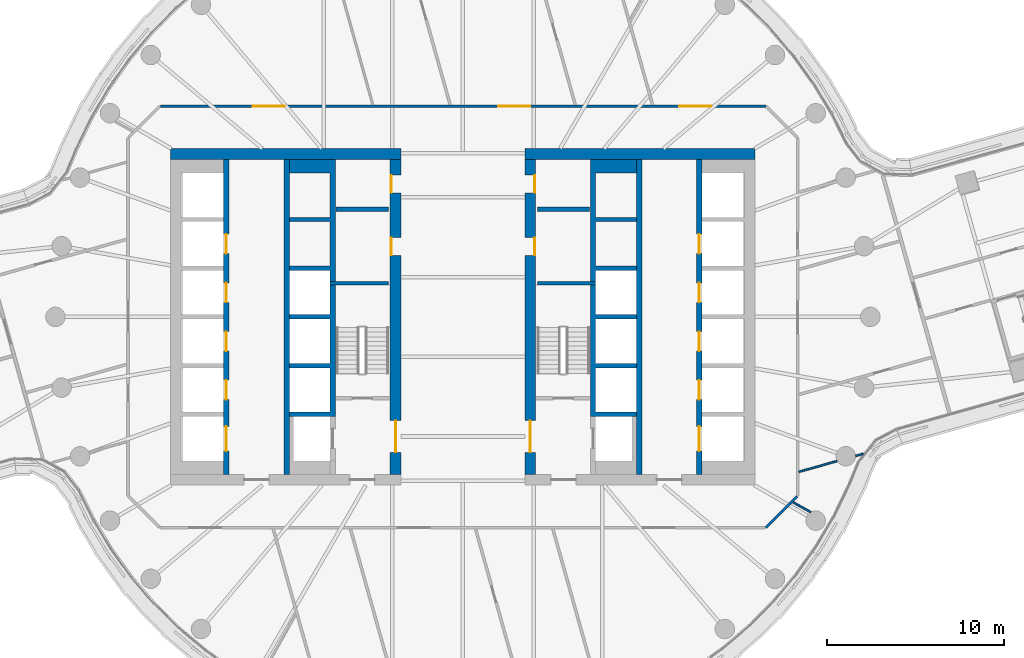
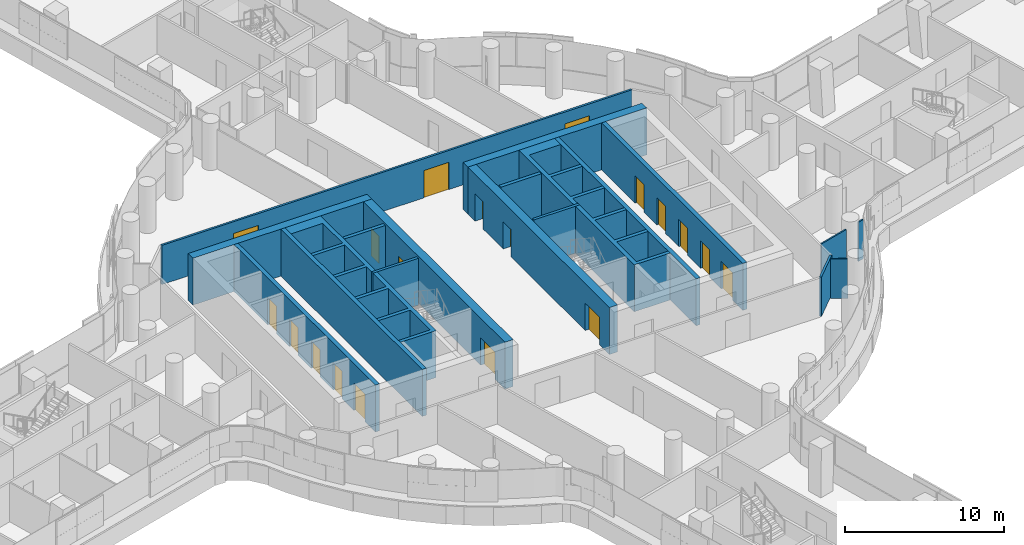
# One storey, part 20 of 30: 19 doors, 19 walls, 19 openings.
"""IFC4 building model written with IfcOpenShell, lengths in metres."""

from ifc_helpers import new_model, si_unit, direction, frame, frame_2d, origin, place, context, subcontext, project, spatial, polyline, rectangle, outline, extrude, material, layer, layer_set, type_object, element, fill, save


model = new_model("IFC4")

# Units and contexts
model_context = context("Model", 3, precision=1e-05, world=origin(), true_north=direction((0.0, 1.0)))
body_context = subcontext(model_context, "Body", "Model", "MODEL_VIEW")
ifc_project = project(units=[si_unit("LENGTHUNIT", "METRE"), si_unit("AREAUNIT", "SQUARE_METRE"), si_unit("VOLUMEUNIT", "CUBIC_METRE"), si_unit("PLANEANGLEUNIT", "RADIAN"), si_unit("MASSUNIT", "GRAM", prefix="KILO")], contexts=[model_context])

# Site, building, storey
site_placement = place(None, origin())
site = spatial("IfcSite", under=ifc_project, at=site_placement, CompositionType="ELEMENT")
building_placement = place(site_placement, origin())
building = spatial("IfcBuilding", under=site, at=building_placement, Name="Tamarind Cross Interchange Tower", CompositionType="ELEMENT")
storey_placement = place(building_placement, frame((0.0, 0.0, 91.0)))
storey = spatial("IfcBuildingStorey", under=building, at=storey_placement, Name="L21", CompositionType="ELEMENT", Elevation=91.0)

# Wall
ifc_material_1 = material(Name="Concrete C70", Category="concrete")
ifc_layer_1 = layer(ifc_material_1, 0.60009765625)
ifc_layer_set_1 = layer_set([ifc_layer_1], Name="Concrete C70")
wall_type_1 = type_object("IfcWallType", Name="Core wall 600 mm Concrete C70", PredefinedType="SHEAR", material=ifc_layer_set_1)
wall_1_placement = place(storey_placement, frame((-16.5, 9.199951171875, 0.0), z_axis=(0.0, 0.0, 1.0), x_axis=(1.0, 0.0, 0.0)))
element("IfcWall", 1, at=wall_1_placement, inside=storey, type_object=wall_type_1, Name="Core wall CWL-L21-W-NE", PredefinedType="SHEAR", context=body_context, shape_type="SweptSolid", body=[
    extrude(rectangle(XDim=13.0, YDim=0.60009765625, at=frame_2d((6.5, 0.0))), origin(), (0.0, 0.0, 1.0), 3.610107421875),
])

# Wall, openings, doors
wall_2_placement = place(storey_placement, frame((-3.800048828125, -8.89990234375, 0.0), z_axis=(0.0, 0.0, 1.0), x_axis=(0.0, 1.0, 0.0)))
wall_2 = element("IfcWall", 2, at=wall_2_placement, inside=storey, type_object=wall_type_1, Name="Core wall CWL-L21-W-IN", PredefinedType="SHEAR", context=body_context, shape_type="SweptSolid", body=[
    extrude(rectangle(XDim=17.7998046875, YDim=0.60009765625, at=frame_2d((8.89990234375, 0.0))), origin(), (0.0, 0.0, 1.0), 3.610107421875),
])
opening_1_placement = place(wall_2_placement, frame((1.25, 0.0, 0.0)))
opening_1 = element("IfcOpeningElement", 3, at=opening_1_placement, cuts=wall_2, Name="Opening DCW4", PredefinedType="OPENING", context=body_context, shape_type="SweptSolid", body=[
    extrude(rectangle(XDim=1.800048828125, YDim=2.10009765625, at=frame_2d((0.89990234375, 1.050048828125))), frame((0.0, 0.31005859375, 0.0), z_axis=(0.0, -1.0, 0.0), x_axis=(1.0, 0.0, 0.0)), (0.0, 0.0, 1.0), 0.6201171875),
])
opening_2_placement = place(wall_2_placement, frame((12.37744140625, 0.0, 0.0)))
opening_2 = element("IfcOpeningElement", 4, at=opening_2_placement, cuts=wall_2, Name="Opening DCW5", PredefinedType="OPENING", context=body_context, shape_type="SweptSolid", body=[
    extrude(rectangle(XDim=1.0, YDim=2.10009765625, at=frame_2d((0.5, 1.050048828125))), frame((0.0, 0.31005859375, 0.0), z_axis=(0.0, -1.0, 0.0), x_axis=(1.0, 0.0, 0.0)), (0.0, 0.0, 1.0), 0.6201171875),
])
opening_3_placement = place(wall_2_placement, frame((15.902587890625, 0.0, 0.0)))
opening_3 = element("IfcOpeningElement", 5, at=opening_3_placement, cuts=wall_2, Name="Opening DCW5", PredefinedType="OPENING", context=body_context, shape_type="SweptSolid", body=[
    extrude(rectangle(XDim=1.0, YDim=2.10009765625, at=frame_2d((0.5, 1.050048828125))), frame((0.0, 0.31005859375, 0.0), z_axis=(0.0, -1.0, 0.0), x_axis=(1.0, 0.0, 0.0)), (0.0, 0.0, 1.0), 0.6201171875),
])
ifc_material_2 = material(Name="Steel, fire-resisting", Category="steel")
door_type_1 = type_object("IfcDoorType", Name="Core fire door 1000 x 2100 FD90", OperationType="SINGLE_SWING_LEFT", PredefinedType="DOOR", material=ifc_material_2)
door_1_placement = place(opening_2_placement, origin())
door_1 = element("IfcDoor", 6, at=door_1_placement, inside=storey, type_object=door_type_1, Name="L21 cleaner's store door", OperationType="SINGLE_SWING_LEFT", OverallHeight=2.10009765625, OverallWidth=1.0, PredefinedType="DOOR", context=body_context, shape_type="SweptSolid", body=[
    extrude(rectangle(XDim=1.0, YDim=2.10009765625, at=frame_2d((0.5, 1.050048828125))), frame((0.0, 0.27490234375, 0.0), z_axis=(0.0, -1.0, 0.0), x_axis=(1.0, 0.0, 0.0)), (0.0, 0.0, 1.0), 0.050048828125),
])
fill(opening_2, door_1)
door_2_placement = place(opening_3_placement, origin())
door_2 = element("IfcDoor", 7, at=door_2_placement, inside=storey, type_object=door_type_1, Name="L21 comms room door", OperationType="SINGLE_SWING_LEFT", OverallHeight=2.10009765625, OverallWidth=1.0, PredefinedType="DOOR", context=body_context, shape_type="SweptSolid", body=[
    extrude(rectangle(XDim=1.0, YDim=2.10009765625, at=frame_2d((0.5, 1.050048828125))), frame((0.0, 0.27490234375, 0.0), z_axis=(0.0, -1.0, 0.0), x_axis=(1.0, 0.0, 0.0)), (0.0, 0.0, 1.0), 0.050048828125),
])
fill(opening_3, door_2)
door_type_2 = type_object("IfcDoorType", Name="Core fire door 1800 x 2100 FD90", OperationType="SINGLE_SWING_LEFT", PredefinedType="DOOR", material=ifc_material_2)
door_3_placement = place(opening_1_placement, origin())
door_3 = element("IfcDoor", 8, at=door_3_placement, inside=storey, type_object=door_type_2, Name="L21 firefighting lobby door", OperationType="SINGLE_SWING_LEFT", OverallHeight=2.10009765625, OverallWidth=1.800048828125, PredefinedType="DOOR", context=body_context, shape_type="SweptSolid", body=[
    extrude(rectangle(XDim=1.800048828125, YDim=2.10009765625, at=frame_2d((0.89990234375, 1.050048828125))), frame((0.0, 0.02490234375, 0.0), z_axis=(0.0, -1.0, 0.0), x_axis=(1.0, 0.0, 0.0)), (0.0, 0.0, 1.0), 0.050048828125),
])
fill(opening_1, door_3)

# Wall
wall_3_placement = place(storey_placement, frame((16.5, 9.199951171875, 0.0), z_axis=(0.0, 0.0, 1.0), x_axis=(-1.0, 0.0, 0.0)))
element("IfcWall", 9, at=wall_3_placement, inside=storey, type_object=wall_type_1, Name="Core wall CWL-L21-E-NE", PredefinedType="SHEAR", context=body_context, shape_type="SweptSolid", body=[
    extrude(rectangle(XDim=13.0, YDim=0.60009765625, at=frame_2d((6.5, 0.0))), origin(), (0.0, 0.0, 1.0), 3.610107421875),
])

# Wall, openings, doors
wall_4_placement = place(storey_placement, frame((3.800048828125, -8.89990234375, 0.0), z_axis=(0.0, 0.0, 1.0), x_axis=(0.0, 1.0, 0.0)))
wall_4 = element("IfcWall", 10, at=wall_4_placement, inside=storey, type_object=wall_type_1, Name="Core wall CWL-L21-E-IN", PredefinedType="SHEAR", context=body_context, shape_type="SweptSolid", body=[
    extrude(rectangle(XDim=17.7998046875, YDim=0.60009765625, at=frame_2d((8.89990234375, 0.0))), origin(), (0.0, 0.0, 1.0), 3.610107421875),
])
opening_4_placement = place(wall_4_placement, frame((1.25, 0.0, 0.0)))
opening_4 = element("IfcOpeningElement", 11, at=opening_4_placement, cuts=wall_4, Name="Opening DCE4", PredefinedType="OPENING", context=body_context, shape_type="SweptSolid", body=[
    extrude(rectangle(XDim=1.800048828125, YDim=2.10009765625, at=frame_2d((0.89990234375, 1.050048828125))), frame((0.0, 0.31005859375, 0.0), z_axis=(0.0, -1.0, 0.0), x_axis=(1.0, 0.0, 0.0)), (0.0, 0.0, 1.0), 0.6201171875),
])
opening_5_placement = place(wall_4_placement, frame((12.37744140625, 0.0, 0.0)))
opening_5 = element("IfcOpeningElement", 12, at=opening_5_placement, cuts=wall_4, Name="Opening DCE5", PredefinedType="OPENING", context=body_context, shape_type="SweptSolid", body=[
    extrude(rectangle(XDim=1.0, YDim=2.10009765625, at=frame_2d((0.5, 1.050048828125))), frame((0.0, 0.31005859375, 0.0), z_axis=(0.0, -1.0, 0.0), x_axis=(1.0, 0.0, 0.0)), (0.0, 0.0, 1.0), 0.6201171875),
])
opening_6_placement = place(wall_4_placement, frame((15.902587890625, 0.0, 0.0)))
opening_6 = element("IfcOpeningElement", 13, at=opening_6_placement, cuts=wall_4, Name="Opening DCE5", PredefinedType="OPENING", context=body_context, shape_type="SweptSolid", body=[
    extrude(rectangle(XDim=1.0, YDim=2.10009765625, at=frame_2d((0.5, 1.050048828125))), frame((0.0, 0.31005859375, 0.0), z_axis=(0.0, -1.0, 0.0), x_axis=(1.0, 0.0, 0.0)), (0.0, 0.0, 1.0), 0.6201171875),
])
door_4_placement = place(opening_5_placement, origin())
door_4 = element("IfcDoor", 14, at=door_4_placement, inside=storey, type_object=door_type_1, Name="L21 cleaner's store door", OperationType="SINGLE_SWING_LEFT", OverallHeight=2.10009765625, OverallWidth=1.0, PredefinedType="DOOR", context=body_context, shape_type="SweptSolid", body=[
    extrude(rectangle(XDim=1.0, YDim=2.10009765625, at=frame_2d((0.5, 1.050048828125))), frame((0.0, -0.22509765625, 0.0), z_axis=(0.0, -1.0, 0.0), x_axis=(1.0, 0.0, 0.0)), (0.0, 0.0, 1.0), 0.050048828125),
])
fill(opening_5, door_4)
door_5_placement = place(opening_6_placement, origin())
door_5 = element("IfcDoor", 15, at=door_5_placement, inside=storey, type_object=door_type_1, Name="L21 comms room door", OperationType="SINGLE_SWING_LEFT", OverallHeight=2.10009765625, OverallWidth=1.0, PredefinedType="DOOR", context=body_context, shape_type="SweptSolid", body=[
    extrude(rectangle(XDim=1.0, YDim=2.10009765625, at=frame_2d((0.5, 1.050048828125))), frame((0.0, -0.22509765625, 0.0), z_axis=(0.0, -1.0, 0.0), x_axis=(1.0, 0.0, 0.0)), (0.0, 0.0, 1.0), 0.050048828125),
])
fill(opening_6, door_5)
door_6_placement = place(opening_4_placement, origin())
door_6 = element("IfcDoor", 16, at=door_6_placement, inside=storey, type_object=door_type_2, Name="L21 firefighting lobby door", OperationType="SINGLE_SWING_LEFT", OverallHeight=2.10009765625, OverallWidth=1.800048828125, PredefinedType="DOOR", context=body_context, shape_type="SweptSolid", body=[
    extrude(rectangle(XDim=1.800048828125, YDim=2.10009765625, at=frame_2d((0.89990234375, 1.050048828125))), frame((0.0, 0.02490234375, 0.0), z_axis=(0.0, -1.0, 0.0), x_axis=(1.0, 0.0, 0.0)), (0.0, 0.0, 1.0), 0.050048828125),
])
fill(opening_4, door_6)

# Walls
ifc_layer_2 = layer(ifc_material_1, 0.199951171875)
ifc_layer_set_2 = layer_set([ifc_layer_2], Name="Concrete C70")
wall_type_2 = type_object("IfcWallType", Name="Core web wall 200 mm Concrete C70", PredefinedType="SHEAR", material=ifc_layer_set_2)
for number, where, z_axis, x_axis, name in (
    (17, (-7.5, 1.89990234375, 0.0), (0.0, 0.0, 1.0), (1.0, 0.0, 0.0), "Core wall CWL-L21-W-BD"),
    (18, (7.5, 1.89990234375, 0.0), (0.0, 0.0, 1.0), (-1.0, 0.0, 0.0), "Core wall CWL-L21-E-BD"),
):
    element("IfcWall", number, at=place(storey_placement, frame(where, z_axis=z_axis, x_axis=x_axis)), inside=storey, type_object=wall_type_2, Name=name, PredefinedType="SHEAR", context=body_context, shape_type="SweptSolid", body=[
        extrude(rectangle(XDim=3.300048828125, YDim=0.199951171875, at=frame_2d((1.64990234375, 0.0))), origin(), (0.0, 0.0, 1.0), 3.610107421875),
    ])
ifc_layer_3 = layer(ifc_material_1, 0.300048828125)
ifc_layer_set_3 = layer_set([ifc_layer_3], Name="Concrete C70")
wall_type_3 = type_object("IfcWallType", Name="Core web wall 300 mm Concrete C70", PredefinedType="SHEAR", material=ifc_layer_set_3)
wall_5_placement = place(storey_placement, origin())
element("IfcWall", 19, at=wall_5_placement, inside=storey, type_object=wall_type_3, Name="Core wall CWL-L21-W-BN", PredefinedType="SHEAR", context=body_context, shape_type="SweptSolid", body=[
    extrude(outline(polyline([(-9.800048828125, -5.375), (-9.800048828125, -5.625), (-7.5, -5.625), (-7.199951171875, -5.625), (-7.199951171875, 8.89990234375), (-7.5, 8.89990234375), (-9.800048828125, 8.89990234375), (-9.800048828125, 8.125), (-7.5, 8.125), (-7.5, 5.625), (-9.800048828125, 5.625), (-9.800048828125, 5.375), (-7.5, 5.375), (-7.5, 2.875), (-9.800048828125, 2.875), (-9.800048828125, 2.625), (-7.5, 2.625), (-7.5, 0.125), (-9.800048828125, 0.125), (-9.800048828125, -0.125), (-7.5, -0.125), (-7.5, -2.625), (-9.800048828125, -2.625), (-9.800048828125, -2.875), (-7.5, -2.875), (-7.5, -5.375), (-9.800048828125, -5.375)])), origin(), (0.0, 0.0, 1.0), 3.610107421875),
])

# Wall, openings, doors
wall_6_placement = place(storey_placement, frame((-13.35009765625, -8.89990234375, 0.0), z_axis=(0.0, 0.0, 1.0), x_axis=(0.0, 1.0, 0.0)))
wall_6 = element("IfcWall", 20, at=wall_6_placement, inside=storey, type_object=wall_type_3, Name="Core wall CWL-L21-W-LA", PredefinedType="SHEAR", context=body_context, shape_type="SweptSolid", body=[
    extrude(rectangle(XDim=17.7998046875, YDim=0.300048828125, at=frame_2d((8.89990234375, 0.0))), origin(), (0.0, 0.0, 1.0), 3.610107421875),
])
opening_7_placement = place(wall_6_placement, frame((1.324951171875, 0.0, 0.0)))
opening_7 = element("IfcOpeningElement", 21, at=opening_7_placement, cuts=wall_6, Name="Opening LD1L21", PredefinedType="OPENING", context=body_context, shape_type="SweptSolid", body=[
    extrude(rectangle(XDim=1.39990234375, YDim=2.10009765625, at=frame_2d((0.699951171875, 1.050048828125))), frame((0.0, 0.159912109375, 0.0), z_axis=(0.0, -1.0, 0.0), x_axis=(1.0, 0.0, 0.0)), (0.0, 0.0, 1.0), 0.320068359375),
])
opening_8_placement = place(wall_6_placement, frame((4.22509765625, 0.0, 0.0)))
opening_8 = element("IfcOpeningElement", 22, at=opening_8_placement, cuts=wall_6, Name="Opening LD2L21", PredefinedType="OPENING", context=body_context, shape_type="SweptSolid", body=[
    extrude(rectangle(XDim=1.10009765625, YDim=2.10009765625, at=frame_2d((0.550048828125, 1.050048828125))), frame((0.0, 0.159912109375, 0.0), z_axis=(0.0, -1.0, 0.0), x_axis=(1.0, 0.0, 0.0)), (0.0, 0.0, 1.0), 0.320068359375),
])
opening_9_placement = place(wall_6_placement, frame((6.97509765625, 0.0, 0.0)))
opening_9 = element("IfcOpeningElement", 23, at=opening_9_placement, cuts=wall_6, Name="Opening LD3L21", PredefinedType="OPENING", context=body_context, shape_type="SweptSolid", body=[
    extrude(rectangle(XDim=1.10009765625, YDim=2.10009765625, at=frame_2d((0.550048828125, 1.050048828125))), frame((0.0, 0.159912109375, 0.0), z_axis=(0.0, -1.0, 0.0), x_axis=(1.0, 0.0, 0.0)), (0.0, 0.0, 1.0), 0.320068359375),
])
opening_10_placement = place(wall_6_placement, frame((9.72509765625, 0.0, 0.0)))
opening_10 = element("IfcOpeningElement", 24, at=opening_10_placement, cuts=wall_6, Name="Opening LD4L21", PredefinedType="OPENING", context=body_context, shape_type="SweptSolid", body=[
    extrude(rectangle(XDim=1.10009765625, YDim=2.10009765625, at=frame_2d((0.550048828125, 1.050048828125))), frame((0.0, 0.159912109375, 0.0), z_axis=(0.0, -1.0, 0.0), x_axis=(1.0, 0.0, 0.0)), (0.0, 0.0, 1.0), 0.320068359375),
])
opening_11_placement = place(wall_6_placement, frame((12.47509765625, 0.0, 0.0)))
opening_11 = element("IfcOpeningElement", 25, at=opening_11_placement, cuts=wall_6, Name="Opening LD5L21", PredefinedType="OPENING", context=body_context, shape_type="SweptSolid", body=[
    extrude(rectangle(XDim=1.10009765625, YDim=2.10009765625, at=frame_2d((0.550048828125, 1.050048828125))), frame((0.0, 0.159912109375, 0.0), z_axis=(0.0, -1.0, 0.0), x_axis=(1.0, 0.0, 0.0)), (0.0, 0.0, 1.0), 0.320068359375),
])
ifc_material_3 = material(Name="Stainless steel panel", Category="steel")
door_type_3 = type_object("IfcDoorType", Name="Lift landing door 1100 x 2100 E 120", OperationType="SLIDING_TO_LEFT", PredefinedType="DOOR", material=ifc_material_3)
door_7_placement = place(opening_8_placement, origin())
door_7 = element("IfcDoor", 26, at=door_7_placement, inside=storey, type_object=door_type_3, Name="L21 landing door LF2", OperationType="SLIDING_TO_LEFT", OverallHeight=2.10009765625, OverallWidth=1.10009765625, PredefinedType="DOOR", context=body_context, shape_type="SweptSolid", body=[
    extrude(rectangle(XDim=1.10009765625, YDim=2.10009765625, at=frame_2d((0.550048828125, 1.050048828125))), frame((0.0, 0.02490234375, 0.0), z_axis=(0.0, -1.0, 0.0), x_axis=(1.0, 0.0, 0.0)), (0.0, 0.0, 1.0), 0.050048828125),
])
fill(opening_8, door_7)
door_8_placement = place(opening_9_placement, origin())
door_8 = element("IfcDoor", 27, at=door_8_placement, inside=storey, type_object=door_type_3, Name="L21 landing door LF3", OperationType="SLIDING_TO_LEFT", OverallHeight=2.10009765625, OverallWidth=1.10009765625, PredefinedType="DOOR", context=body_context, shape_type="SweptSolid", body=[
    extrude(rectangle(XDim=1.10009765625, YDim=2.10009765625, at=frame_2d((0.550048828125, 1.050048828125))), frame((0.0, 0.02490234375, 0.0), z_axis=(0.0, -1.0, 0.0), x_axis=(1.0, 0.0, 0.0)), (0.0, 0.0, 1.0), 0.050048828125),
])
fill(opening_9, door_8)
door_9_placement = place(opening_10_placement, origin())
door_9 = element("IfcDoor", 28, at=door_9_placement, inside=storey, type_object=door_type_3, Name="L21 landing door LF4", OperationType="SLIDING_TO_LEFT", OverallHeight=2.10009765625, OverallWidth=1.10009765625, PredefinedType="DOOR", context=body_context, shape_type="SweptSolid", body=[
    extrude(rectangle(XDim=1.10009765625, YDim=2.10009765625, at=frame_2d((0.550048828125, 1.050048828125))), frame((0.0, 0.02490234375, 0.0), z_axis=(0.0, -1.0, 0.0), x_axis=(1.0, 0.0, 0.0)), (0.0, 0.0, 1.0), 0.050048828125),
])
fill(opening_10, door_9)
door_10_placement = place(opening_11_placement, origin())
door_10 = element("IfcDoor", 29, at=door_10_placement, inside=storey, type_object=door_type_3, Name="L21 landing door LF5", OperationType="SLIDING_TO_LEFT", OverallHeight=2.10009765625, OverallWidth=1.10009765625, PredefinedType="DOOR", context=body_context, shape_type="SweptSolid", body=[
    extrude(rectangle(XDim=1.10009765625, YDim=2.10009765625, at=frame_2d((0.550048828125, 1.050048828125))), frame((0.0, 0.02490234375, 0.0), z_axis=(0.0, -1.0, 0.0), x_axis=(1.0, 0.0, 0.0)), (0.0, 0.0, 1.0), 0.050048828125),
])
fill(opening_11, door_10)
door_type_4 = type_object("IfcDoorType", Name="Lift landing door 1400 x 2100 E 120", OperationType="SLIDING_TO_LEFT", PredefinedType="DOOR", material=ifc_material_3)
door_11_placement = place(opening_7_placement, origin())
door_11 = element("IfcDoor", 30, at=door_11_placement, inside=storey, type_object=door_type_4, Name="L21 landing door LF1", OperationType="SLIDING_TO_LEFT", OverallHeight=2.10009765625, OverallWidth=1.39990234375, PredefinedType="DOOR", context=body_context, shape_type="SweptSolid", body=[
    extrude(rectangle(XDim=1.39990234375, YDim=2.10009765625, at=frame_2d((0.699951171875, 1.050048828125))), frame((0.0, 0.02490234375, 0.0), z_axis=(0.0, -1.0, 0.0), x_axis=(1.0, 0.0, 0.0)), (0.0, 0.0, 1.0), 0.050048828125),
])
fill(opening_7, door_11)

# Walls
wall_7_placement = place(storey_placement, frame((-9.949951171875, -8.89990234375, 0.0), z_axis=(0.0, 0.0, 1.0), x_axis=(0.0, 1.0, 0.0)))
element("IfcWall", 31, at=wall_7_placement, inside=storey, type_object=wall_type_3, Name="Core wall CWL-L21-W-LB", PredefinedType="SHEAR", context=body_context, shape_type="SweptSolid", body=[
    extrude(rectangle(XDim=17.7998046875, YDim=0.300048828125, at=frame_2d((8.89990234375, 0.0))), origin(), (0.0, 0.0, 1.0), 3.610107421875),
])
wall_8_placement = place(storey_placement, origin())
element("IfcWall", 32, at=wall_8_placement, inside=storey, type_object=wall_type_3, Name="Core wall CWL-L21-E-BN", PredefinedType="SHEAR", context=body_context, shape_type="SweptSolid", body=[
    extrude(outline(polyline([(9.800048828125, -5.375), (7.5, -5.375), (7.5, -2.875), (9.800048828125, -2.875), (9.800048828125, -2.625), (7.5, -2.625), (7.5, -0.125), (9.800048828125, -0.125), (9.800048828125, 0.125), (7.5, 0.125), (7.5, 2.625), (9.800048828125, 2.625), (9.800048828125, 2.875), (7.5, 2.875), (7.5, 5.375), (9.800048828125, 5.375), (9.800048828125, 5.625), (7.5, 5.625), (7.5, 8.125), (9.800048828125, 8.125), (9.800048828125, 8.89990234375), (7.5, 8.89990234375), (7.199951171875, 8.89990234375), (7.199951171875, -5.625), (7.5, -5.625), (9.800048828125, -5.625), (9.800048828125, -5.375)])), origin(), (0.0, 0.0, 1.0), 3.610107421875),
])

# Wall, openings, doors
wall_9_placement = place(storey_placement, frame((13.35009765625, -8.89990234375, 0.0), z_axis=(0.0, 0.0, 1.0), x_axis=(0.0, 1.0, 0.0)))
wall_9 = element("IfcWall", 33, at=wall_9_placement, inside=storey, type_object=wall_type_3, Name="Core wall CWL-L21-E-LA", PredefinedType="SHEAR", context=body_context, shape_type="SweptSolid", body=[
    extrude(rectangle(XDim=17.7998046875, YDim=0.300048828125, at=frame_2d((8.89990234375, 0.0))), origin(), (0.0, 0.0, 1.0), 3.610107421875),
])
opening_12_placement = place(wall_9_placement, frame((1.324951171875, 0.0, 0.0)))
opening_12 = element("IfcOpeningElement", 34, at=opening_12_placement, cuts=wall_9, Name="Opening LD13L21", PredefinedType="OPENING", context=body_context, shape_type="SweptSolid", body=[
    extrude(rectangle(XDim=1.39990234375, YDim=2.10009765625, at=frame_2d((0.699951171875, 1.050048828125))), frame((0.0, 0.159912109375, 0.0), z_axis=(0.0, -1.0, 0.0), x_axis=(1.0, 0.0, 0.0)), (0.0, 0.0, 1.0), 0.320068359375),
])
opening_13_placement = place(wall_9_placement, frame((4.22509765625, 0.0, 0.0)))
opening_13 = element("IfcOpeningElement", 35, at=opening_13_placement, cuts=wall_9, Name="Opening LD14L21", PredefinedType="OPENING", context=body_context, shape_type="SweptSolid", body=[
    extrude(rectangle(XDim=1.10009765625, YDim=2.10009765625, at=frame_2d((0.550048828125, 1.050048828125))), frame((0.0, 0.159912109375, 0.0), z_axis=(0.0, -1.0, 0.0), x_axis=(1.0, 0.0, 0.0)), (0.0, 0.0, 1.0), 0.320068359375),
])
opening_14_placement = place(wall_9_placement, frame((6.97509765625, 0.0, 0.0)))
opening_14 = element("IfcOpeningElement", 36, at=opening_14_placement, cuts=wall_9, Name="Opening LD15L21", PredefinedType="OPENING", context=body_context, shape_type="SweptSolid", body=[
    extrude(rectangle(XDim=1.10009765625, YDim=2.10009765625, at=frame_2d((0.550048828125, 1.050048828125))), frame((0.0, 0.159912109375, 0.0), z_axis=(0.0, -1.0, 0.0), x_axis=(1.0, 0.0, 0.0)), (0.0, 0.0, 1.0), 0.320068359375),
])
opening_15_placement = place(wall_9_placement, frame((9.72509765625, 0.0, 0.0)))
opening_15 = element("IfcOpeningElement", 37, at=opening_15_placement, cuts=wall_9, Name="Opening LD16L21", PredefinedType="OPENING", context=body_context, shape_type="SweptSolid", body=[
    extrude(rectangle(XDim=1.10009765625, YDim=2.10009765625, at=frame_2d((0.550048828125, 1.050048828125))), frame((0.0, 0.159912109375, 0.0), z_axis=(0.0, -1.0, 0.0), x_axis=(1.0, 0.0, 0.0)), (0.0, 0.0, 1.0), 0.320068359375),
])
opening_16_placement = place(wall_9_placement, frame((12.47509765625, 0.0, 0.0)))
opening_16 = element("IfcOpeningElement", 38, at=opening_16_placement, cuts=wall_9, Name="Opening LD17L21", PredefinedType="OPENING", context=body_context, shape_type="SweptSolid", body=[
    extrude(rectangle(XDim=1.10009765625, YDim=2.10009765625, at=frame_2d((0.550048828125, 1.050048828125))), frame((0.0, 0.159912109375, 0.0), z_axis=(0.0, -1.0, 0.0), x_axis=(1.0, 0.0, 0.0)), (0.0, 0.0, 1.0), 0.320068359375),
])
door_12_placement = place(opening_13_placement, origin())
door_12 = element("IfcDoor", 39, at=door_12_placement, inside=storey, type_object=door_type_3, Name="L21 landing door LF14", OperationType="SLIDING_TO_LEFT", OverallHeight=2.10009765625, OverallWidth=1.10009765625, PredefinedType="DOOR", context=body_context, shape_type="SweptSolid", body=[
    extrude(rectangle(XDim=1.10009765625, YDim=2.10009765625, at=frame_2d((0.550048828125, 1.050048828125))), frame((0.0, 0.02490234375, 0.0), z_axis=(0.0, -1.0, 0.0), x_axis=(1.0, 0.0, 0.0)), (0.0, 0.0, 1.0), 0.050048828125),
])
fill(opening_13, door_12)
door_13_placement = place(opening_14_placement, origin())
door_13 = element("IfcDoor", 40, at=door_13_placement, inside=storey, type_object=door_type_3, Name="L21 landing door LF15", OperationType="SLIDING_TO_LEFT", OverallHeight=2.10009765625, OverallWidth=1.10009765625, PredefinedType="DOOR", context=body_context, shape_type="SweptSolid", body=[
    extrude(rectangle(XDim=1.10009765625, YDim=2.10009765625, at=frame_2d((0.550048828125, 1.050048828125))), frame((0.0, 0.02490234375, 0.0), z_axis=(0.0, -1.0, 0.0), x_axis=(1.0, 0.0, 0.0)), (0.0, 0.0, 1.0), 0.050048828125),
])
fill(opening_14, door_13)
door_14_placement = place(opening_15_placement, origin())
door_14 = element("IfcDoor", 41, at=door_14_placement, inside=storey, type_object=door_type_3, Name="L21 landing door LF16", OperationType="SLIDING_TO_LEFT", OverallHeight=2.10009765625, OverallWidth=1.10009765625, PredefinedType="DOOR", context=body_context, shape_type="SweptSolid", body=[
    extrude(rectangle(XDim=1.10009765625, YDim=2.10009765625, at=frame_2d((0.550048828125, 1.050048828125))), frame((0.0, 0.02490234375, 0.0), z_axis=(0.0, -1.0, 0.0), x_axis=(1.0, 0.0, 0.0)), (0.0, 0.0, 1.0), 0.050048828125),
])
fill(opening_15, door_14)
door_15_placement = place(opening_16_placement, origin())
door_15 = element("IfcDoor", 42, at=door_15_placement, inside=storey, type_object=door_type_3, Name="L21 landing door LF17", OperationType="SLIDING_TO_LEFT", OverallHeight=2.10009765625, OverallWidth=1.10009765625, PredefinedType="DOOR", context=body_context, shape_type="SweptSolid", body=[
    extrude(rectangle(XDim=1.10009765625, YDim=2.10009765625, at=frame_2d((0.550048828125, 1.050048828125))), frame((0.0, 0.02490234375, 0.0), z_axis=(0.0, -1.0, 0.0), x_axis=(1.0, 0.0, 0.0)), (0.0, 0.0, 1.0), 0.050048828125),
])
fill(opening_16, door_15)
door_16_placement = place(opening_12_placement, origin())
door_16 = element("IfcDoor", 43, at=door_16_placement, inside=storey, type_object=door_type_4, Name="L21 landing door LF13", OperationType="SLIDING_TO_LEFT", OverallHeight=2.10009765625, OverallWidth=1.39990234375, PredefinedType="DOOR", context=body_context, shape_type="SweptSolid", body=[
    extrude(rectangle(XDim=1.39990234375, YDim=2.10009765625, at=frame_2d((0.699951171875, 1.050048828125))), frame((0.0, 0.02490234375, 0.0), z_axis=(0.0, -1.0, 0.0), x_axis=(1.0, 0.0, 0.0)), (0.0, 0.0, 1.0), 0.050048828125),
])
fill(opening_12, door_16)

# Walls
wall_10_placement = place(storey_placement, frame((9.949951171875, -8.89990234375, 0.0), z_axis=(0.0, 0.0, 1.0), x_axis=(0.0, 1.0, 0.0)))
element("IfcWall", 44, at=wall_10_placement, inside=storey, type_object=wall_type_3, Name="Core wall CWL-L21-E-LB", PredefinedType="SHEAR", context=body_context, shape_type="SweptSolid", body=[
    extrude(rectangle(XDim=17.7998046875, YDim=0.300048828125, at=frame_2d((8.89990234375, 0.0))), origin(), (0.0, 0.0, 1.0), 3.610107421875),
])
ifc_material_4 = material(Name="Gypsum board partition on steel studs", Category="steel")
ifc_layer_4 = layer(ifc_material_4, 0.10009765625)
ifc_layer_set_4 = layer_set([ifc_layer_4], Name="Gypsum board partition on steel studs")
wall_type_4 = type_object("IfcWallType", Name="Partition 100 mm EI 90", PredefinedType="PARTITIONING", material=ifc_layer_set_4)
wall_11_placement = place(storey_placement, frame((18.650146484375, -10.469482421875, 0.0), z_axis=(0.0, 0.0, 1.0), x_axis=(0.871847423019, -0.489777572961, 0.0)))
element("IfcWall", 45, at=wall_11_placement, inside=storey, type_object=wall_type_4, Name="Partition L21-040", PredefinedType="PARTITIONING", context=body_context, shape_type="SweptSolid", body=[
    extrude(rectangle(XDim=1.12646484375, YDim=0.10009765625, at=frame_2d((0.563232421875, 0.0))), origin(), (0.0, 0.0, 1.0), 3.010009765625),
])
wall_12_placement = place(storey_placement, frame((18.97216796875, -8.742919921875, 0.0), z_axis=(0.0, 0.0, 1.0), x_axis=(0.962855122656, 0.270018541538, 0.0)))
element("IfcWall", 46, at=wall_12_placement, inside=storey, type_object=wall_type_4, Name="Partition L21-068", PredefinedType="PARTITIONING", context=body_context, shape_type="SweptSolid", body=[
    extrude(rectangle(XDim=2.23681640625, YDim=0.10009765625, at=frame_2d((1.118408203125, 0.0))), origin(), (0.0, 0.0, 1.0), 3.010009765625),
])
wall_13_placement = place(storey_placement, frame((22.167724609375, -7.846923828125, 0.0), z_axis=(0.0, 0.0, 1.0), x_axis=(0.962855865138, 0.270015893921, 0.0)))
element("IfcWall", 47, at=wall_13_placement, inside=storey, type_object=wall_type_4, Name="Partition L21-069", PredefinedType="PARTITIONING", context=body_context, shape_type="SweptSolid", body=[
    extrude(rectangle(XDim=0.44580078125, YDim=0.10009765625, at=frame_2d((0.222900390625, 0.0))), origin(), (0.0, 0.0, 1.0), 3.010009765625),
])

# Wall, openings, doors
ifc_layer_5 = layer(ifc_material_4, 0.14990234375)
ifc_layer_set_5 = layer_set([ifc_layer_5], Name="Gypsum board partition on steel studs")
wall_type_5 = type_object("IfcWallType", Name="Partition 150 mm EI 120", PredefinedType="PARTITIONING", material=ifc_layer_set_5)
wall_14_placement = place(storey_placement, frame((-17.06494140625, 11.89990234375, 0.0), z_axis=(0.0, 0.0, 1.0), x_axis=(1.0, 0.0, 0.0)))
wall_14 = element("IfcWall", 48, at=wall_14_placement, inside=storey, type_object=wall_type_5, Name="Partition L21-042", PredefinedType="PARTITIONING", context=body_context, shape_type="SweptSolid", body=[
    extrude(rectangle(XDim=34.1650390625, YDim=0.14990234375, at=frame_2d((17.08251953125, 0.0))), origin(), (0.0, 0.0, 1.0), 3.010009765625),
])
opening_17_placement = place(wall_14_placement, frame((19.06689453125, 0.0, 0.0)))
opening_17 = element("IfcOpeningElement", 49, at=opening_17_placement, cuts=wall_14, Name="Opening D18", PredefinedType="OPENING", context=body_context, shape_type="SweptSolid", body=[
    extrude(rectangle(XDim=1.800048828125, YDim=2.10009765625, at=frame_2d((0.89990234375, 1.050048828125))), frame((0.0, 0.0849609375, 0.0), z_axis=(0.0, -1.0, 0.0), x_axis=(1.0, 0.0, 0.0)), (0.0, 0.0, 1.0), 0.169921875),
])
opening_18_placement = place(wall_14_placement, frame((29.2919921875, 0.0, 0.0)))
opening_18 = element("IfcOpeningElement", 50, at=opening_18_placement, cuts=wall_14, Name="Opening D19", PredefinedType="OPENING", context=body_context, shape_type="SweptSolid", body=[
    extrude(rectangle(XDim=1.800048828125, YDim=2.10009765625, at=frame_2d((0.89990234375, 1.050048828125))), frame((0.0, 0.0849609375, 0.0), z_axis=(0.0, -1.0, 0.0), x_axis=(1.0, 0.0, 0.0)), (0.0, 0.0, 1.0), 0.169921875),
])
opening_19_placement = place(wall_14_placement, frame((5.215087890625, 0.0, 0.0)))
opening_19 = element("IfcOpeningElement", 51, at=opening_19_placement, cuts=wall_14, Name="Opening D20", PredefinedType="OPENING", context=body_context, shape_type="SweptSolid", body=[
    extrude(rectangle(XDim=1.800048828125, YDim=2.10009765625, at=frame_2d((0.89990234375, 1.050048828125))), frame((0.0, 0.0849609375, 0.0), z_axis=(0.0, -1.0, 0.0), x_axis=(1.0, 0.0, 0.0)), (0.0, 0.0, 1.0), 0.169921875),
])
ifc_material_5 = material(Name="Fire-resisting door set")
door_type_5 = type_object("IfcDoorType", Name="Interior door 1800 x 2100 FD60S", OperationType="DOUBLE_DOOR_SINGLE_SWING", PredefinedType="DOOR", material=ifc_material_5)
door_17_placement = place(opening_17_placement, frame((1.800048828125, 0.0, 0.0), z_axis=(0.0, 0.0, 1.0), x_axis=(-1.0, 0.0, 0.0)))
door_17 = element("IfcDoor", 52, at=door_17_placement, inside=storey, type_object=door_type_5, Name="Door D18", OperationType="DOUBLE_DOOR_SINGLE_SWING", OverallHeight=2.10009765625, OverallWidth=1.800048828125, PredefinedType="DOOR", context=body_context, shape_type="SweptSolid", body=[
    extrude(rectangle(XDim=1.800048828125, YDim=2.10009765625, at=frame_2d((0.89990234375, 1.050048828125))), frame((0.0, 0.02490234375, 0.0), z_axis=(0.0, -1.0, 0.0), x_axis=(1.0, 0.0, 0.0)), (0.0, 0.0, 1.0), 0.050048828125),
])
fill(opening_17, door_17)
door_18_placement = place(opening_18_placement, origin())
door_18 = element("IfcDoor", 53, at=door_18_placement, inside=storey, type_object=door_type_5, Name="Door D19", OperationType="DOUBLE_DOOR_SINGLE_SWING", OverallHeight=2.10009765625, OverallWidth=1.800048828125, PredefinedType="DOOR", context=body_context, shape_type="SweptSolid", body=[
    extrude(rectangle(XDim=1.800048828125, YDim=2.10009765625, at=frame_2d((0.89990234375, 1.050048828125))), frame((0.0, 0.02490234375, 0.0), z_axis=(0.0, -1.0, 0.0), x_axis=(1.0, 0.0, 0.0)), (0.0, 0.0, 1.0), 0.050048828125),
])
fill(opening_18, door_18)
door_19_placement = place(opening_19_placement, origin())
door_19 = element("IfcDoor", 54, at=door_19_placement, inside=storey, type_object=door_type_5, Name="Door D20", OperationType="DOUBLE_DOOR_SINGLE_SWING", OverallHeight=2.10009765625, OverallWidth=1.800048828125, PredefinedType="DOOR", context=body_context, shape_type="SweptSolid", body=[
    extrude(rectangle(XDim=1.800048828125, YDim=2.10009765625, at=frame_2d((0.89990234375, 1.050048828125))), frame((0.0, 0.02490234375, 0.0), z_axis=(0.0, -1.0, 0.0), x_axis=(1.0, 0.0, 0.0)), (0.0, 0.0, 1.0), 0.050048828125),
])
fill(opening_19, door_19)

# Walls
wall_15_placement = place(storey_placement, frame((17.10009765625, -11.89990234375, 0.0), z_axis=(0.0, 0.0, 1.0), x_axis=(0.707106781187, 0.707106781187, 0.0)))
element("IfcWall", 55, at=wall_15_placement, inside=storey, type_object=wall_type_5, Name="Partition L21-074", PredefinedType="PARTITIONING", context=body_context, shape_type="SweptSolid", body=[
    extrude(rectangle(XDim=2.50537109375, YDim=0.14990234375, at=frame_2d((1.252685546875, 0.0))), origin(), (0.0, 0.0, 1.0), 3.010009765625),
])
ifc_material_6 = material(Name="Concrete C40", Category="concrete")
ifc_layer_6 = layer(ifc_material_6, 0.25)
ifc_layer_set_6 = layer_set([ifc_layer_6], Name="Concrete C40")
wall_type_6 = type_object("IfcWallType", Name="Shaft and lobby wall 250 mm Concrete C40", PredefinedType="PARTITIONING", material=ifc_layer_set_6)
for number, where, z_axis, x_axis, name in (
    (56, (-7.14990234375, 6.080078125, 0.0), (0.0, 0.0, 1.0), (1.0, 0.0, 0.0), "Shaft wall CWL-L21-W-SVP"),
    (57, (7.14990234375, 6.080078125, 0.0), (0.0, 0.0, 1.0), (-1.0, 0.0, 0.0), "Shaft wall CWL-L21-E-SVP"),
):
    element("IfcWall", number, at=place(storey_placement, frame(where, z_axis=z_axis, x_axis=x_axis)), inside=storey, type_object=wall_type_6, Name=name, PredefinedType="PARTITIONING", context=body_context, shape_type="SweptSolid", body=[
        extrude(rectangle(XDim=2.949951171875, YDim=0.25, at=frame_2d((1.47509765625, 0.0))), origin(), (0.0, 0.0, 1.0), 3.610107421875),
    ])

save(model, "model.ifc")
